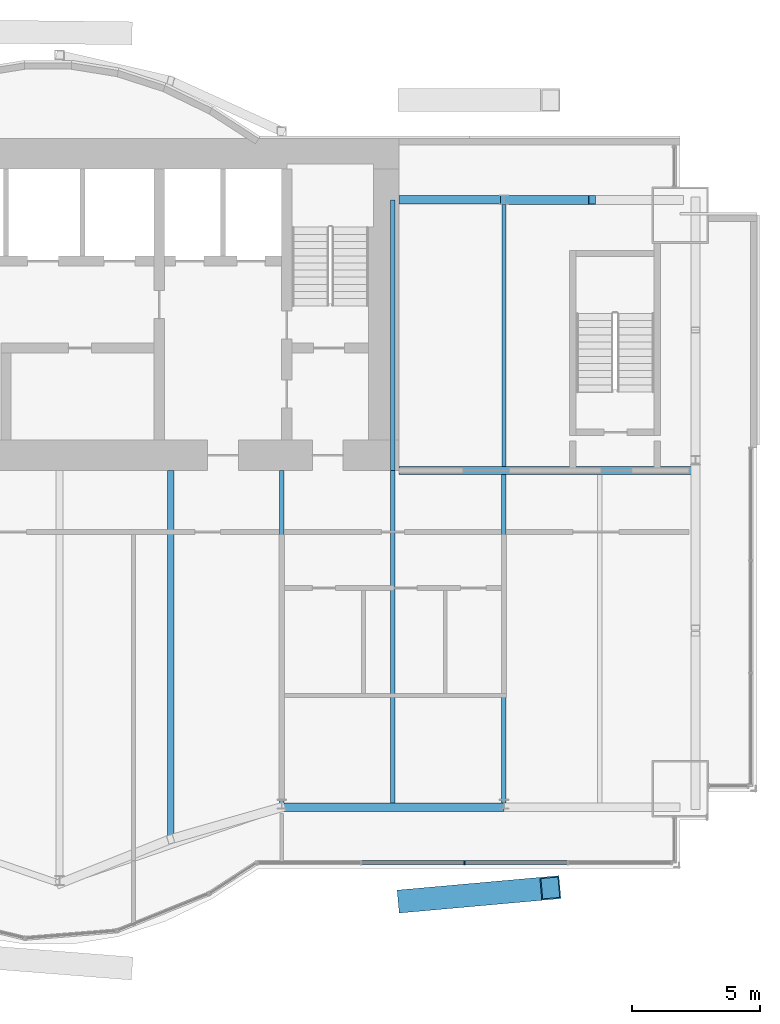
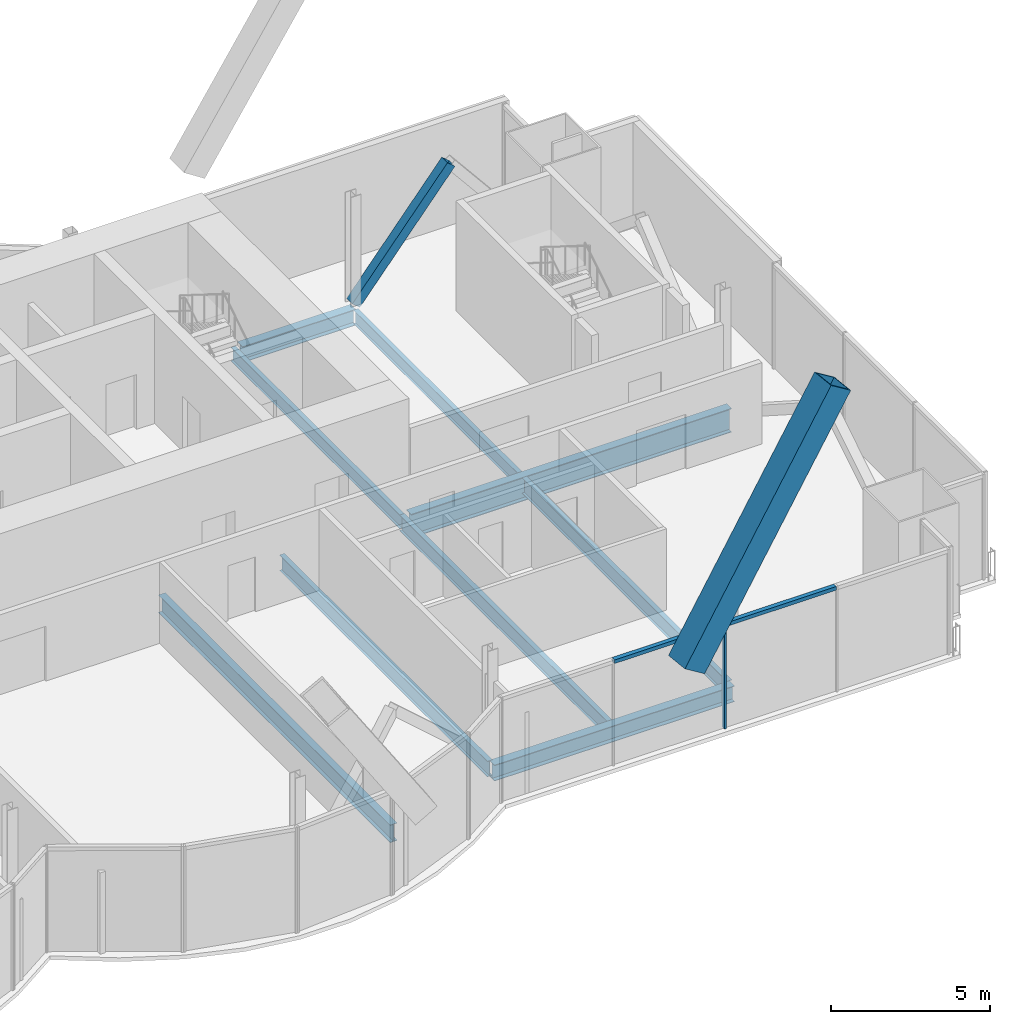
# One storey, part 9 of 19: 9 beams, 5 members, 1 element without a shape of its own.
"""IFC4 building model written with IfcOpenShell, lengths in metres."""

import ifcopenshell
import ifcopenshell.guid

model = None  # the IFC model being written
_history = None  # IfcOwnerHistory: only IFC2X3 demands one
_inside = {}  # id of a spatial element -> (the spatial element, [elements in it])
_under = {}  # id of a project, library or spatial element -> (it, [spatial elements below it])
_declared = {}  # id of a project -> (the project, [libraries it declares])
_typed = {}  # id of a type object -> (the type object, [elements of that type])
_made_of = {}  # id of a material, layer set ... -> (it, [elements and type objects made of it])


def new_model(schema):
    """Start an empty IFC model of exactly this schema.

    Asked for "IFC4X3", IfcOpenShell would pick the latest addendum, in which some entities
    have other attributes; the version numbers below select the first issue.
    IFC2X3 requires an IfcOwnerHistory on every rooted entity: one is made here for all.
    """
    global model, _history
    if schema == "IFC4X3":
        model = ifcopenshell.file(schema_version=(4, 3, 0, 0))
    else:
        model = ifcopenshell.file(schema=schema)
    _inside.clear()
    _under.clear()
    _declared.clear()
    _typed.clear()
    _made_of.clear()
    _history = None
    if model.schema == "IFC2X3":
        org = make("IfcOrganization", Name="unknown")
        user = make(
            "IfcPersonAndOrganization",
            ThePerson=make("IfcPerson", FamilyName="unknown"),
            TheOrganization=org,
        )
        app = make(
            "IfcApplication",
            ApplicationDeveloper=org,
            Version="unknown",
            ApplicationFullName="unknown",
            ApplicationIdentifier="unknown",
        )
        _history = make(
            "IfcOwnerHistory",
            OwningUser=user,
            OwningApplication=app,
            ChangeAction="ADDED",
            CreationDate=0,
        )
    return model


def make(cls, **values):
    """One entity of the class cls with the attributes given. An attribute that is None is left unset."""
    return model.create_entity(
        cls, **{name: value for name, value in values.items() if value is not None}
    )


def rooted(cls, **values):
    """An entity with a GlobalId (a new one), such as an element, a storey or a relation."""
    return make(cls, GlobalId=ifcopenshell.guid.new(), OwnerHistory=_history, **values)


def si_unit(unit_type, name, prefix=None):
    """IfcSIUnit, for example si_unit("LENGTHUNIT", "METRE", prefix="MILLI")."""
    return make("IfcSIUnit", UnitType=unit_type, Prefix=prefix, Name=name)


def assignment(units):
    """IfcUnitAssignment: the units of a project."""
    return None if units is None else make("IfcUnitAssignment", Units=units)


def point(xyz):
    """IfcCartesianPoint."""
    return None if xyz is None else make("IfcCartesianPoint", Coordinates=xyz)


def direction(xyz):
    """IfcDirection."""
    return None if xyz is None else make("IfcDirection", DirectionRatios=xyz)


def frame(location, z_axis=None, x_axis=None):
    """IfcAxis2Placement3D, a coordinate frame: its origin and axes. An axis left out is left unset."""
    return make(
        "IfcAxis2Placement3D",
        Location=point(location),
        Axis=direction(z_axis),
        RefDirection=direction(x_axis),
    )


def frame_2d(location, x_axis=None):
    """IfcAxis2Placement2D, a coordinate frame in the plane: its origin and x axis."""
    return make(
        "IfcAxis2Placement2D", Location=point(location), RefDirection=direction(x_axis)
    )


def origin():
    """The frame at (0, 0, 0) with its axes left unset."""
    return frame((0.0, 0.0, 0.0))


def origin_2d():
    """The frame at (0, 0) in the plane with its x axis left unset."""
    return frame_2d((0.0, 0.0))


def place(relative_to, where):
    """IfcLocalPlacement: puts the frame where relative to a parent placement (None: the world)."""
    return make(
        "IfcLocalPlacement", PlacementRelTo=relative_to, RelativePlacement=where
    )


def context(
    kind, dimensions, precision=None, world=None, true_north=None, identifier=None
):
    """IfcGeometricRepresentationContext, for example the 3D "Model" context."""
    return make(
        "IfcGeometricRepresentationContext",
        ContextIdentifier=identifier,
        ContextType=kind,
        CoordinateSpaceDimension=dimensions,
        Precision=precision,
        WorldCoordinateSystem=world,
        TrueNorth=true_north,
    )


def subcontext(parent, identifier, kind, view, scale=None):
    """IfcGeometricRepresentationSubContext, for example "Body" below "Model"."""
    return make(
        "IfcGeometricRepresentationSubContext",
        ContextIdentifier=identifier,
        ContextType=kind,
        ParentContext=parent,
        TargetScale=scale,
        TargetView=view,
    )


def project(units=None, contexts=None):
    """IfcProject with its units and contexts."""
    return rooted(
        "IfcProject",
        Name="project",
        RepresentationContexts=contexts,
        UnitsInContext=assignment(units),
    )


def spatial(cls, under=None, at=None, **own):
    """A site, building, storey or space (cls), placed at a placement, below another one or the project."""
    s = rooted(cls, ObjectPlacement=at, **own)
    if under is not None:
        _under.setdefault(under.id(), (under, []))[1].append(s)
    return s


def profile(cls, at=None, kind="AREA", **sizes):
    """A parametric profile (cls). Its sizes go by their IFC names, for example OverallWidth=200.0."""
    return make(cls, ProfileType=kind, Position=at, **sizes)


def rectangle(**sizes):
    """IfcRectangleProfileDef."""
    return profile("IfcRectangleProfileDef", **sizes)


def hollow_rectangle(**sizes):
    """IfcRectangleHollowProfileDef."""
    return profile("IfcRectangleHollowProfileDef", **sizes)


def i_section(**sizes):
    """IfcIShapeProfileDef."""
    return profile("IfcIShapeProfileDef", **sizes)


def extrude(swept, where, along, depth):
    """IfcExtrudedAreaSolid: the profile swept, set in the frame where, extruded along a direction by depth."""
    return make(
        "IfcExtrudedAreaSolid",
        SweptArea=swept,
        Position=where,
        ExtrudedDirection=direction(along),
        Depth=depth,
    )


def shape(context_of_items, identifier, shape_type, items):
    """IfcShapeRepresentation: the items that make up one representation, for example the "Body"."""
    return make(
        "IfcShapeRepresentation",
        ContextOfItems=context_of_items,
        RepresentationIdentifier=identifier,
        RepresentationType=shape_type,
        Items=items,
    )


def material(Name=None, Category=None):
    """IfcMaterial."""
    return make("IfcMaterial", Name=Name, Category=Category)


def material_profile(
    of_material, cross_section, Name=None, Category=None, Priority=None
):
    """IfcMaterialProfile: a cross section and its material."""
    return make(
        "IfcMaterialProfile",
        Name=Name,
        Material=of_material,
        Profile=cross_section,
        Priority=Priority,
        Category=Category,
    )


def profile_set(profiles, Name=None, composite=None):
    """IfcMaterialProfileSet."""
    return make(
        "IfcMaterialProfileSet",
        Name=Name,
        MaterialProfiles=profiles,
        CompositeProfile=composite,
    )


def made_of(thing, what):
    """Note that an element or type object is made of a material, layer set ...; save() writes the relation."""
    if what is not None:
        _made_of.setdefault(what.id(), (what, []))[1].append(thing)
    return thing


def type_object(cls, material=None, **own):
    """A type object (cls), such as IfcWallType, which elements share."""
    return made_of(rooted(cls, **own), material)


def element(
    cls,
    number,
    at=None,
    inside=None,
    cuts=None,
    type_object=None,
    material=None,
    context=None,
    identifier="Body",
    shape_type=None,
    held_by="IfcProductDefinitionShape",
    body=None,
    shapes=None,
    **own,
):
    """One element of the class cls, such as IfcWall. Its Tag is "e" and its number.

    at: its placement. inside: the storey or other place that contains it. cuts: it is an
    opening in that element (IfcRelVoidsElement). A single representation is given by context,
    identifier, shape_type and body (its items); several are given by shapes. held_by: the class
    of the entity that holds the representations. save() writes the other relations.
    """
    e = rooted(cls, Tag="e%d" % number, ObjectPlacement=at, **own)
    if body is not None:
        shapes = [shape(context, identifier, shape_type, body)]
    if shapes is not None:
        e.Representation = make(held_by, Representations=shapes)
    if inside is not None:
        _inside.setdefault(inside.id(), (inside, []))[1].append(e)
    if cuts is not None:
        rooted(
            "IfcRelVoidsElement", RelatingBuildingElement=cuts, RelatedOpeningElement=e
        )
    if type_object is not None:
        _typed.setdefault(type_object.id(), (type_object, []))[1].append(e)
    return made_of(e, material)


def aggregate(whole, parts):
    """IfcRelAggregates: a whole, such as a stair, and the parts it consists of."""
    return rooted("IfcRelAggregates", RelatingObject=whole, RelatedObjects=parts)


def save(model, path):
    """Write the relations noted so far, then the file.

    IfcRelAggregates (storeys below a building ...), IfcRelContainedInSpatialStructure (elements
    in a storey), IfcRelDefinesByType, IfcRelAssociatesMaterial and IfcRelDeclares: one each for
    every whole, place, type object, material and project.
    """
    for whole, parts in _under.values():
        aggregate(whole, parts)
    for where, things in _inside.values():
        rooted(
            "IfcRelContainedInSpatialStructure",
            RelatedElements=things,
            RelatingStructure=where,
        )
    for kind, things in _typed.values():
        rooted("IfcRelDefinesByType", RelatedObjects=things, RelatingType=kind)
    for what, things in _made_of.values():
        rooted("IfcRelAssociatesMaterial", RelatedObjects=things, RelatingMaterial=what)
    for by, libraries in _declared.values():
        rooted("IfcRelDeclares", RelatingContext=by, RelatedDefinitions=libraries)
    model.write(path)


model = new_model("IFC4")

# Units and contexts
model_context = context("Model", 3, precision=1e-05, world=origin(), true_north=direction((0.0, 1.0)))
body_context = subcontext(model_context, "Body", "Model", "MODEL_VIEW")
ifc_project = project(units=[si_unit("LENGTHUNIT", "METRE"), si_unit("AREAUNIT", "SQUARE_METRE"), si_unit("VOLUMEUNIT", "CUBIC_METRE"), si_unit("PLANEANGLEUNIT", "RADIAN"), si_unit("MASSUNIT", "GRAM", prefix="KILO")], contexts=[model_context])

# Site, building, storey
site_placement = place(None, origin())
site = spatial("IfcSite", under=ifc_project, at=site_placement, CompositionType="ELEMENT")
building_placement = place(site_placement, origin())
building = spatial("IfcBuilding", under=site, at=building_placement, Name="Bicima Exchange Tower", CompositionType="ELEMENT")
storey_placement = place(building_placement, frame((0.0, 0.0, 270.800048828125)))
storey = spatial("IfcBuildingStorey", under=building, at=storey_placement, Name="L61", CompositionType="ELEMENT", Elevation=270.800048828125)

# Beam
ifc_material_1 = material(Name="Steel ASTM A992 Gr 50", Category="steel")
ifc_material_profile_1 = material_profile(ifc_material_1, i_section(OverallWidth=0.3046875, OverallDepth=0.911865234375, WebThickness=0.015869140625, FlangeThickness=0.02392578125, at=origin_2d()))
ifc_profile_set_1 = profile_set([ifc_material_profile_1], Name="Steel ASTM A992 Gr 50")
beam_type_1 = type_object("IfcBeamType", Name="Core-line girder W36x150", PredefinedType="BEAM", material=ifc_profile_set_1)
beam_1_placement = place(storey_placement, frame((22.0, -13.0, -0.60595703125), z_axis=(1.0, 0.0, 0.0), x_axis=(0.0, 1.0, 0.0)))
element("IfcBeam", 1, at=beam_1_placement, inside=storey, type_object=beam_type_1, Name="Core-line girder", PredefinedType="BEAM", context=body_context, shape_type="SweptSolid", body=[
    extrude(i_section(OverallWidth=0.3046875, OverallDepth=0.911865234375, WebThickness=0.015869140625, FlangeThickness=0.02392578125, at=origin_2d()), origin(), (0.0, 0.0, 1.0), 11.60009765625),
])

# Member
ifc_material_2 = material(Name="Steel ASTM A572 Gr 50", Category="steel")
ifc_material_profile_2 = material_profile(ifc_material_2, hollow_rectangle(XDim=0.89990234375, YDim=0.89990234375, WallThickness=0.050048828125, at=origin_2d()))
ifc_profile_set_2 = profile_set([ifc_material_profile_2], Name="Steel ASTM A572 Gr 50")
member_type_1 = type_object("IfcMemberType", Name="Exo mega brace BOX 900x900x50", PredefinedType="BRACE", material=ifc_profile_set_2)
member_1_placement = place(storey_placement, frame((22.333251953125, -29.841796875, 4.099853515625), z_axis=(0.543893010913, 0.048657853097, 0.837742684845), x_axis=(-0.089106307825, 0.996022121193, 0.0)))
element("IfcMember", 2, at=member_1_placement, inside=storey, type_object=member_type_1, Name="Exo mega brace front", PredefinedType="BRACE", context=body_context, shape_type="SweptSolid", body=[
    extrude(hollow_rectangle(XDim=0.89990234375, YDim=0.89990234375, WallThickness=0.050048828125, at=origin_2d()), origin(), (0.0, 0.0, 1.0), 10.265869140625),
])

# Beams
ifc_material_profile_3 = material_profile(ifc_material_1, i_section(OverallWidth=0.165771484375, OverallDepth=0.5283203125, WebThickness=0.009765625, FlangeThickness=0.013671875, at=origin_2d()))
ifc_profile_set_3 = profile_set([ifc_material_profile_3], Name="Steel ASTM A992 Gr 50")
beam_type_2 = type_object("IfcBeamType", Name="Floor beam W21x50", PredefinedType="JOIST", material=ifc_profile_set_3)
beam_2_placement = place(storey_placement, frame((21.75, -2.39990234375, -0.414306640625), z_axis=(0.0, -1.0, 0.0), x_axis=(1.0, 0.0, 0.0)))
element("IfcBeam", 3, at=beam_2_placement, inside=storey, type_object=beam_type_2, Name="Floor beam", PredefinedType="JOIST", context=body_context, shape_type="SweptSolid", body=[
    extrude(i_section(OverallWidth=0.165771484375, OverallDepth=0.5283203125, WebThickness=0.009765625, FlangeThickness=0.013671875, at=origin_2d()), origin(), (0.0, 0.0, 1.0), 10.60009765625),
])
beam_3_placement = place(storey_placement, frame((26.10009765625, -2.5625, -0.414306640625), z_axis=(0.0, -1.0, 0.0), x_axis=(1.0, 0.0, 0.0)))
element("IfcBeam", 4, at=beam_3_placement, inside=storey, type_object=beam_type_2, Name="Floor beam", PredefinedType="JOIST", context=body_context, shape_type="SweptSolid", body=[
    extrude(i_section(OverallWidth=0.165771484375, OverallDepth=0.5283203125, WebThickness=0.009765625, FlangeThickness=0.013671875, at=origin_2d()), origin(), (0.0, 0.0, 1.0), 10.28515625),
])
ifc_material_profile_4 = material_profile(ifc_material_1, i_section(OverallWidth=0.177978515625, OverallDepth=0.599365234375, WebThickness=0.010009765625, FlangeThickness=0.012939453125, at=origin_2d()))
ifc_profile_set_4 = profile_set([ifc_material_profile_4], Name="Steel ASTM A992 Gr 50")
beam_type_3 = type_object("IfcBeamType", Name="Floor beam W24x55", PredefinedType="JOIST", material=ifc_profile_set_4)
beam_4_placement = place(storey_placement, frame((17.39990234375, -13.0, -0.44970703125), z_axis=(0.0, -1.0, 0.0), x_axis=(1.0, 0.0, 0.0)))
element("IfcBeam", 5, at=beam_4_placement, inside=storey, type_object=beam_type_3, Name="Floor beam", PredefinedType="JOIST", context=body_context, shape_type="SweptSolid", body=[
    extrude(i_section(OverallWidth=0.177978515625, OverallDepth=0.599365234375, WebThickness=0.010009765625, FlangeThickness=0.012939453125, at=origin_2d()), origin(), (0.0, 0.0, 1.0), 13.04443359375),
])
beam_5_placement = place(storey_placement, frame((21.75, -13.0, -0.44970703125), z_axis=(0.0, -1.0, 0.0), x_axis=(1.0, 0.0, 0.0)))
element("IfcBeam", 6, at=beam_5_placement, inside=storey, type_object=beam_type_3, Name="Floor beam", PredefinedType="JOIST", context=body_context, shape_type="SweptSolid", body=[
    extrude(i_section(OverallWidth=0.177978515625, OverallDepth=0.599365234375, WebThickness=0.010009765625, FlangeThickness=0.012939453125, at=origin_2d()), origin(), (0.0, 0.0, 1.0), 13.017333984375),
])
beam_6_placement = place(storey_placement, frame((26.10009765625, -13.15234375, -0.44970703125), z_axis=(0.0, -1.0, 0.0), x_axis=(1.0, 0.0, 0.0)))
element("IfcBeam", 7, at=beam_6_placement, inside=storey, type_object=beam_type_3, Name="Floor beam", PredefinedType="JOIST", context=body_context, shape_type="SweptSolid", body=[
    extrude(i_section(OverallWidth=0.177978515625, OverallDepth=0.599365234375, WebThickness=0.010009765625, FlangeThickness=0.012939453125, at=origin_2d()), origin(), (0.0, 0.0, 1.0), 12.864990234375),
])
ifc_material_profile_5 = material_profile(ifc_material_1, i_section(OverallWidth=0.25390625, OverallDepth=0.67822265625, WebThickness=0.01171875, FlangeThickness=0.016357421875, at=origin_2d()))
ifc_profile_set_5 = profile_set([ifc_material_profile_5], Name="Steel ASTM A992 Gr 50")
beam_type_4 = type_object("IfcBeamType", Name="Floor beam W27x84", PredefinedType="JOIST", material=ifc_profile_set_5)
beam_7_placement = place(storey_placement, frame((13.050048828125, -13.0, -0.4892578125), z_axis=(0.0, -1.0, 0.0), x_axis=(1.0, 0.0, 0.0)))
element("IfcBeam", 8, at=beam_7_placement, inside=storey, type_object=beam_type_4, Name="Floor beam", PredefinedType="JOIST", context=body_context, shape_type="SweptSolid", body=[
    extrude(i_section(OverallWidth=0.25390625, OverallDepth=0.67822265625, WebThickness=0.01171875, FlangeThickness=0.016357421875, at=origin_2d()), origin(), (0.0, 0.0, 1.0), 14.539794921875),
])
ifc_material_profile_6 = material_profile(ifc_material_1, i_section(OverallWidth=0.3251953125, OverallDepth=0.612060546875, WebThickness=0.0126953125, FlangeThickness=0.01904296875, at=origin_2d()))
ifc_profile_set_6 = profile_set([ifc_material_profile_6], Name="Steel ASTM A992 Gr 50")
beam_type_5 = type_object("IfcBeamType", Name="Front girder W24x104", PredefinedType="BEAM", material=ifc_profile_set_6)
beam_8_placement = place(storey_placement, frame((17.39990234375, -26.179931640625, -0.4560546875), z_axis=(1.0, 0.0, 0.0), x_axis=(0.0, 1.0, 0.0)))
element("IfcBeam", 9, at=beam_8_placement, inside=storey, type_object=beam_type_5, Name="Front girder", PredefinedType="BEAM", context=body_context, shape_type="SweptSolid", body=[
    extrude(i_section(OverallWidth=0.3251953125, OverallDepth=0.612060546875, WebThickness=0.0126953125, FlangeThickness=0.01904296875, at=origin_2d()), origin(), (0.0, 0.0, 1.0), 8.7001953125),
])

# Curtain wall, members
ifc_material_3 = material(Name="Anodised bronze aluminium", Category="aluminium")
curtain_wall_type = type_object("IfcCurtainWallType", Name="Front glass wall", PredefinedType="NOTDEFINED", material=ifc_material_3)
curtain_wall_placement = place(storey_placement, origin())
curtain_wall = element("IfcCurtainWall", 10, at=curtain_wall_placement, inside=storey, type_object=curtain_wall_type, Name="Front glass wall L61 run 16", PredefinedType="NOTDEFINED")
ifc_material_profile_7 = material_profile(ifc_material_3, rectangle(XDim=0.159912109375, YDim=0.06005859375, at=origin_2d()))
ifc_profile_set_7 = profile_set([ifc_material_profile_7], Name="Anodised bronze aluminium")
member_type_2 = type_object("IfcMemberType", Name="Front glass wall mullion 60 x 160", PredefinedType="MULLION", material=ifc_profile_set_7)
member_2_placement = place(storey_placement, frame((24.56103515625, -28.35009765625, 0.0), z_axis=(0.0, 0.0, 1.0), x_axis=(0.0, 1.0, 0.0)))
member_2 = element("IfcMember", 11, at=member_2_placement, type_object=member_type_2, Name="Front glass wall mullion 3", PredefinedType="MULLION", context=body_context, shape_type="SweptSolid", body=[
    extrude(rectangle(XDim=0.159912109375, YDim=0.06005859375, at=origin_2d()), origin(), (0.0, 0.0, 1.0), 4.050048828125),
])
ifc_material_profile_8 = material_profile(ifc_material_3, rectangle(XDim=0.159912109375, YDim=0.139892578125, at=origin_2d()))
ifc_profile_set_8 = profile_set([ifc_material_profile_8], Name="Anodised bronze aluminium")
member_type_3 = type_object("IfcMemberType", Name="Front glass wall transom 140 x 160", PredefinedType="USERDEFINED", material=ifc_profile_set_8)
member_3_placement = place(storey_placement, frame((20.54150390625, -28.35009765625, 3.97998046875), z_axis=(1.0, 0.0, 0.0), x_axis=(0.0, 1.0, 0.0)))
member_3 = element("IfcMember", 12, at=member_3_placement, type_object=member_type_3, Name="Front glass wall transom 2.1", ObjectType="TRANSOM", PredefinedType="USERDEFINED", context=body_context, shape_type="SweptSolid", body=[
    extrude(rectangle(XDim=0.159912109375, YDim=0.139892578125, at=origin_2d()), origin(), (0.0, 0.0, 1.0), 3.989501953125),
])
member_4_placement = place(storey_placement, frame((24.591064453125, -28.35009765625, 3.97998046875), z_axis=(1.0, 0.0, 0.0), x_axis=(0.0, 1.0, 0.0)))
member_4 = element("IfcMember", 13, at=member_4_placement, type_object=member_type_3, Name="Front glass wall transom 3.1", ObjectType="TRANSOM", PredefinedType="USERDEFINED", context=body_context, shape_type="SweptSolid", body=[
    extrude(rectangle(XDim=0.159912109375, YDim=0.139892578125, at=origin_2d()), origin(), (0.0, 0.0, 1.0), 3.989501953125),
])
aggregate(curtain_wall, [member_2, member_3, member_4])

# Member
ifc_material_profile_9 = material_profile(ifc_material_2, hollow_rectangle(XDim=0.355712890625, YDim=0.355712890625, WallThickness=0.0146484375, at=origin_2d()))
ifc_profile_set_9 = profile_set([ifc_material_profile_9], Name="Steel ASTM A572 Gr 50")
member_type_4 = type_object("IfcMemberType", Name="Mega brace HSS14x14x5/8", PredefinedType="BRACE", material=ifc_profile_set_9)
member_5_placement = place(storey_placement, frame((26.10009765625, -2.39990234375, 0.0), z_axis=(0.63473846547, 0.0, 0.772727041362), x_axis=(0.0, 1.0, 0.0)))
element("IfcMember", 14, at=member_5_placement, inside=storey, type_object=member_type_4, Name="Mega brace rear", PredefinedType="BRACE", context=body_context, shape_type="SweptSolid", body=[
    extrude(hollow_rectangle(XDim=0.355712890625, YDim=0.355712890625, WallThickness=0.0146484375, at=origin_2d()), origin(), (0.0, 0.0, 1.0), 5.435302734375),
])

# Beam
beam_type_6 = type_object("IfcBeamType", Name="Rear girder W24x104", PredefinedType="BEAM", material=ifc_profile_set_6)
beam_9_placement = place(storey_placement, frame((22.0, -2.39990234375, -0.4560546875), z_axis=(1.0, 0.0, 0.0), x_axis=(0.0, 1.0, 0.0)))
element("IfcBeam", 15, at=beam_9_placement, inside=storey, type_object=beam_type_6, Name="Rear girder", PredefinedType="BEAM", context=body_context, shape_type="SweptSolid", body=[
    extrude(i_section(OverallWidth=0.3251953125, OverallDepth=0.612060546875, WebThickness=0.0126953125, FlangeThickness=0.01904296875, at=origin_2d()), origin(), (0.0, 0.0, 1.0), 4.10009765625),
])

save(model, "model.ifc")
